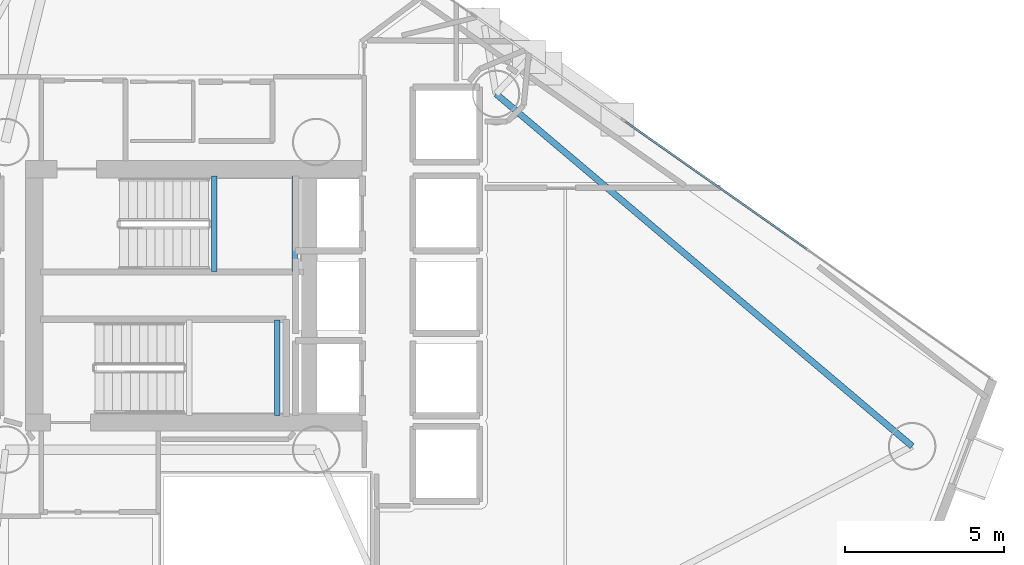
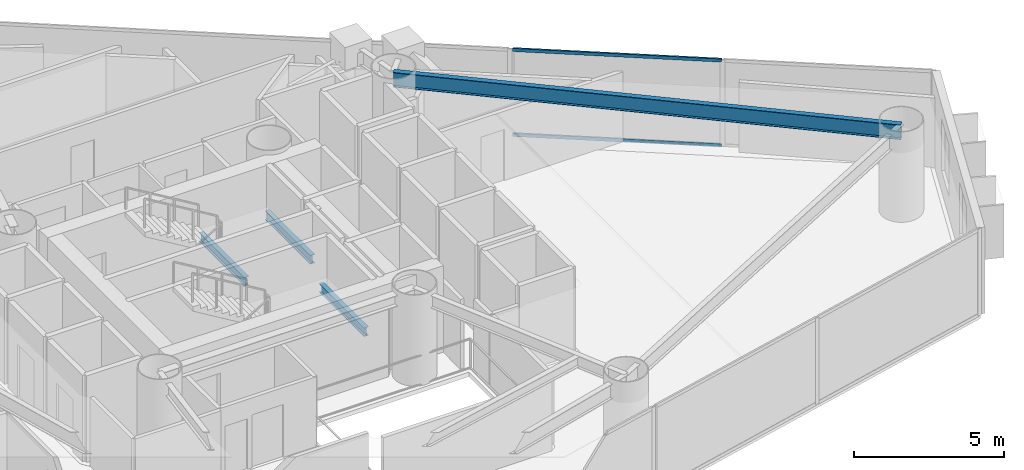
# One storey, part 11 of 24: 4 beams, 2 members, 1 element without a shape of its own.
"""IFC4 building model written with IfcOpenShell, lengths in metres."""

from ifc_helpers import new_model, si_unit, direction, frame, origin, origin_2d, place, context, subcontext, project, spatial, hollow_rectangle, i_section, extrude, material, layer, layer_set, material_profile, profile_set, type_object, element, aggregate, save


model = new_model("IFC4")

# Units and contexts
model_context = context("Model", 3, precision=1e-05, world=origin(), true_north=direction((0.0, 1.0)))
body_context = subcontext(model_context, "Body", "Model", "MODEL_VIEW")
ifc_project = project(units=[si_unit("LENGTHUNIT", "METRE"), si_unit("AREAUNIT", "SQUARE_METRE"), si_unit("VOLUMEUNIT", "CUBIC_METRE"), si_unit("PLANEANGLEUNIT", "RADIAN"), si_unit("MASSUNIT", "GRAM", prefix="KILO")], contexts=[model_context])

# Site, building, storey
site_placement = place(None, origin())
site = spatial("IfcSite", under=ifc_project, at=site_placement, CompositionType="ELEMENT")
building_placement = place(site_placement, origin())
building = spatial("IfcBuilding", under=site, at=building_placement, Name="Qianvela Tower", CompositionType="ELEMENT")
storey_placement = place(building_placement, frame((0.0, 0.0, 101.5)))
storey = spatial("IfcBuildingStorey", under=building, at=storey_placement, Name="L25", CompositionType="ELEMENT", Elevation=101.5)

# Beams
ifc_material_1 = material(Name="Steel Q355B", Category="steel")
ifc_material_profile_1 = material_profile(ifc_material_1, i_section(OverallWidth=0.175048828125, OverallDepth=0.35009765625, WebThickness=0.007080078125, FlangeThickness=0.010986328125, at=origin_2d()), Name="HN350x175x7x11")
ifc_profile_set_1 = profile_set([ifc_material_profile_1], Name="Steel Q355B")
beam_type_1 = type_object("IfcBeamType", Name="BM-HN350-JOIST", PredefinedType="JOIST", material=ifc_profile_set_1)
for number, where, z_axis, x_axis, name in (
    (1, (35.179931640625, 29.4599609375, 1.47509765625), (0.0, 1.0, 0.0), (-1.0, 0.0, 0.0), "L25 Stair ST-1 Landing Support Beam 1.1"),
    (2, (37.719970703125, 29.4599609375, 1.47509765625), (0.0, 1.0, 0.0), (-1.0, 0.0, 0.0), "L25 Stair ST-1 Landing Support Beam 1.2"),
    (3, (37.169921875, 24.919921875, 1.47509765625), (0.0, 1.0, 0.0), (-1.0, 0.0, 0.0), "L25 Stair ST-2 Landing Support Beam 1.2"),
):
    element("IfcBeam", number, at=place(storey_placement, frame(where, z_axis=z_axis, x_axis=x_axis)), inside=storey, type_object=beam_type_1, Name=name, PredefinedType="JOIST", context=body_context, shape_type="SweptSolid", body=[
        extrude(i_section(OverallWidth=0.175048828125, OverallDepth=0.35009765625, WebThickness=0.007080078125, FlangeThickness=0.010986328125, at=origin_2d()), origin(), (0.0, 0.0, 1.0), 3.02001953125),
    ])
ifc_material_2 = material(Name="Steel Q355B", Category="steel")
ifc_material_profile_2 = material_profile(ifc_material_2, i_section(OverallWidth=0.199951171875, OverallDepth=0.60009765625, WebThickness=0.010986328125, FlangeThickness=0.01708984375, at=origin_2d()), Name="HN600x200x11x17")
ifc_profile_set_2 = profile_set([ifc_material_profile_2], Name="Steel Q355B")
beam_type_2 = type_object("IfcBeamType", Name="BM-HN600-GIRD", PredefinedType="BEAM", material=ifc_profile_set_2)
beam_placement = place(storey_placement, frame((57.194091796875, 23.9580078125, 3.218017578125), z_axis=(-0.763158437154, 0.646211420358, 0.0), x_axis=(-0.646211420358, -0.763158437154, 0.0)))
element("IfcBeam", 4, at=beam_placement, inside=storey, type_object=beam_type_2, Name="L25 Perimeter Ring Spandrel Girder 1", PredefinedType="BEAM", context=body_context, shape_type="SweptSolid", body=[
    extrude(i_section(OverallWidth=0.199951171875, OverallDepth=0.60009765625, WebThickness=0.010986328125, FlangeThickness=0.01708984375, at=origin_2d()), origin(), (0.0, 0.0, 1.0), 17.19580078125),
])

# Curtain wall, members
ifc_material_3 = material(Name="Anodised Architectural Aluminium and Low-E Glass", Category="aluminium")
ifc_layer = layer(ifc_material_3, 0.169921875)
ifc_layer_set = layer_set([ifc_layer], Name="Anodised Architectural Aluminium and Low-E Glass")
curtain_wall_type = type_object("IfcCurtainWallType", Name="CW-COLIV-Z34", PredefinedType="USERDEFINED", material=ifc_layer_set)
curtain_wall_placement = place(storey_placement, origin())
curtain_wall = element("IfcCurtainWall", 5, at=curtain_wall_placement, inside=storey, type_object=curtain_wall_type, Name="L25 CW-COLIV-Z34 Curtain Wall 02A", ObjectType="CURTAIN_WALL_SYSTEM", PredefinedType="USERDEFINED")
ifc_material_4 = material(Name="Anodised Architectural Aluminium 6063-T6", Category="aluminium")
ifc_material_profile_3 = material_profile(ifc_material_4, hollow_rectangle(XDim=0.06494140625, YDim=0.1298828125, WallThickness=0.00439453125, at=origin_2d()), Name="ALU-TRAN-65x130")
ifc_profile_set_3 = profile_set([ifc_material_profile_3], Name="Anodised Architectural Aluminium 6063-T6")
member_type = type_object("IfcMemberType", Name="CW-COLIV-Z34-TRAN", PredefinedType="USERDEFINED", material=ifc_profile_set_3)
member_1_placement = place(storey_placement, frame((53.874267578125, 30.17578125, 0.032470703125), z_axis=(-0.818423512605, 0.574615483619, 0.0), x_axis=(-0.574615483619, -0.818423512605, 0.0)))
member_1 = element("IfcMember", 6, at=member_1_placement, type_object=member_type, Name="CW-4 transom 2.1", ObjectType="TRANSOM", PredefinedType="USERDEFINED", context=body_context, shape_type="SweptSolid", body=[
    extrude(hollow_rectangle(XDim=0.06494140625, YDim=0.1298828125, WallThickness=0.00439453125, at=origin_2d()), origin(), (0.0, 0.0, 1.0), 6.987548828125),
])
member_2_placement = place(storey_placement, frame((53.874267578125, 30.17578125, 3.487548828125), z_axis=(-0.818423512605, 0.574615483619, 0.0), x_axis=(-0.574615483619, -0.818423512605, 0.0)))
member_2 = element("IfcMember", 7, at=member_2_placement, type_object=member_type, Name="CW-4 transom 2.2", ObjectType="TRANSOM", PredefinedType="USERDEFINED", context=body_context, shape_type="SweptSolid", body=[
    extrude(hollow_rectangle(XDim=0.06494140625, YDim=0.1298828125, WallThickness=0.00439453125, at=origin_2d()), origin(), (0.0, 0.0, 1.0), 6.987548828125),
])
aggregate(curtain_wall, [member_1, member_2])

save(model, "model.ifc")
